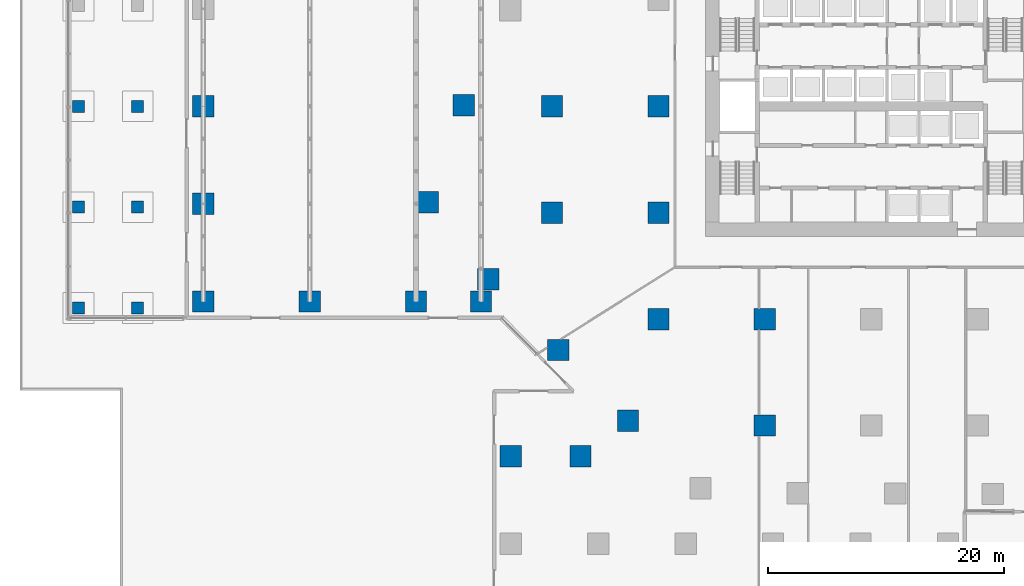
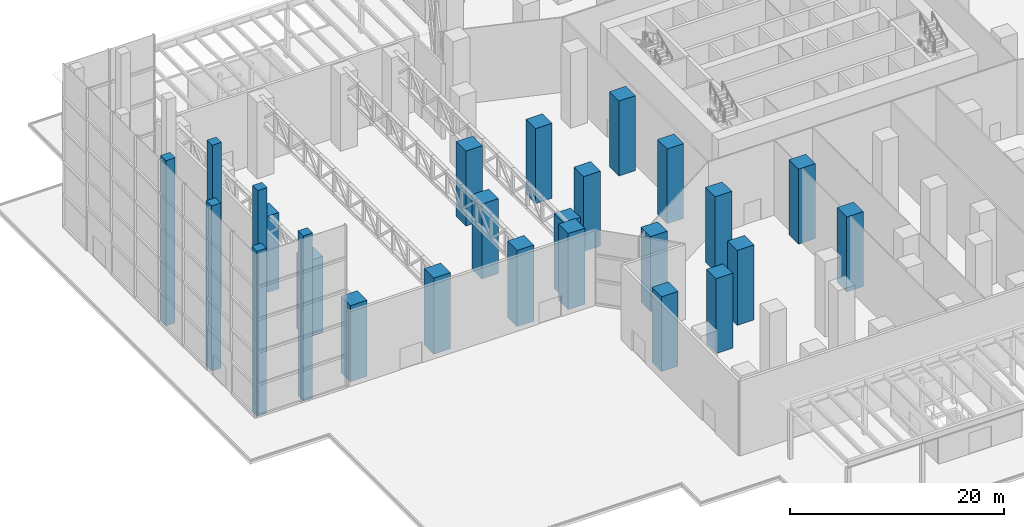
# One storey, part 3 of 40: 26 columns.
"""IFC4 building model written with IfcOpenShell, lengths in metres."""

from ifc_helpers import new_model, si_unit, direction, frame, origin, origin_2d, place, context, subcontext, project, spatial, rectangle, extrude, material, material_profile, profile_set, type_object, element, save


model = new_model("IFC4")

# Units and contexts
model_context = context("Model", 3, precision=1e-05, world=origin(), true_north=direction((0.0, 1.0)))
body_context = subcontext(model_context, "Body", "Model", "MODEL_VIEW")
ifc_project = project(units=[si_unit("LENGTHUNIT", "METRE"), si_unit("AREAUNIT", "SQUARE_METRE"), si_unit("VOLUMEUNIT", "CUBIC_METRE"), si_unit("PLANEANGLEUNIT", "RADIAN"), si_unit("MASSUNIT", "GRAM", prefix="KILO")], contexts=[model_context])

# Site, building, storey
site_placement = place(None, origin())
site = spatial("IfcSite", under=ifc_project, at=site_placement, CompositionType="ELEMENT")
building_placement = place(site_placement, origin())
building = spatial("IfcBuilding", under=site, at=building_placement, Name="Dongbaek Canopy Tower", CompositionType="ELEMENT")
storey_placement = place(building_placement, origin())
storey = spatial("IfcBuildingStorey", under=building, at=storey_placement, Name="L00", CompositionType="ELEMENT", Elevation=0.0)

# Columns
ifc_material_1 = material(Name="Concrete C80", Category="concrete")
ifc_material_profile_1 = material_profile(ifc_material_1, rectangle(XDim=1.800048828125, YDim=1.800048828125, at=origin_2d()), Name="RC COLUMN 1800x1800 C80")
ifc_profile_set_1 = profile_set([ifc_material_profile_1], Name="Concrete C80")
column_type_1 = type_object("IfcColumnType", Name="RC COLUMN 1800x1800 C80", PredefinedType="COLUMN", material=ifc_profile_set_1)
for number, where, z_axis, x_axis, name in (
    (1, (-20.573974609375, -26.60205078125, 0.0), (0.0, 0.0, 1.0), (1.0, 0.0, 0.0), "COL:CP-06:L00"),
    (2, (-26.47802734375, -20.60791015625, 0.0), (0.0, 0.0, 1.0), (1.0, 0.0, 0.0), "COL:CP-07:L00"),
    (3, (-32.382080078125, -14.613037109375, 0.0), (0.0, 0.0, 1.0), (1.0, 0.0, 0.0), "COL:CP-08:L00"),
    (4, (-37.489013671875, -8.123046875, 0.0), (0.0, 0.0, 1.0), (1.0, 0.0, 0.0), "COL:CP-09:L00"),
    (5, (-34.462890625, 0.10302734375, 0.0), (0.0, 0.0, 1.0), (1.0, 0.0, 0.0), "COL:CP-10:L00"),
    (6, (-27.0, -9.0, 0.0), (0.0, 0.0, 1.0), (1.0, 0.0, 0.0), "COL:CIP-01:L00"),
    (7, (-27.0, 0.0, 0.0), (0.0, 0.0, 1.0), (1.0, 0.0, 0.0), "COL:CIP-02:L00"),
    (8, (-18.0, -18.0, 0.0), (0.0, 0.0, 1.0), (1.0, 0.0, 0.0), "COL:CIP-03:L00"),
    (9, (-18.0, -9.0, 0.0), (0.0, 0.0, 1.0), (1.0, 0.0, 0.0), "COL:CIP-04:L00"),
    (10, (-18.0, 0.0, 0.0), (0.0, 0.0, 1.0), (1.0, 0.0, 0.0), "COL:CIP-05:L00"),
    (11, (-9.0, -27.0, 0.0), (0.0, 0.0, 1.0), (1.0, 0.0, 0.0), "COL:CIP-08:L00"),
    (12, (-9.0, -18.0, 0.0), (0.0, 0.0, 1.0), (1.0, 0.0, 0.0), "COL:CIP-09:L00"),
):
    element("IfcColumn", number, at=place(storey_placement, frame(where, z_axis=z_axis, x_axis=x_axis)), inside=storey, type_object=column_type_1, Name=name, PredefinedType="COLUMN", context=body_context, shape_type="SweptSolid", body=[
        extrude(rectangle(XDim=1.800048828125, YDim=1.800048828125, at=origin_2d()), origin(), (0.0, 0.0, 1.0), 8.550048828125),
    ])
for number, where, z_axis, x_axis, name in (
    (13, (-56.5, -16.5, 0.0), (0.0, 0.0, 1.0), (1.0, 0.0, 0.0), "COL:CWWW-01:L00"),
    (14, (-47.5, -16.5, 0.0), (0.0, 0.0, 1.0), (1.0, 0.0, 0.0), "COL:CWWW-03:L00"),
    (15, (-38.5, -16.5, 0.0), (0.0, 0.0, 1.0), (1.0, 0.0, 0.0), "COL:CWWW-05:L00"),
    (16, (-33.0, -16.5, 0.0), (0.0, 0.0, 1.0), (1.0, 0.0, 0.0), "COL:CWWW-07:L00"),
    (17, (-56.5, -8.25, 0.0), (0.0, 0.0, 1.0), (1.0, 0.0, 0.0), "COL:CWWW-09:L00"),
    (18, (-56.5, 0.0, 0.0), (0.0, 0.0, 1.0), (1.0, 0.0, 0.0), "COL:CWWW-10:L00"),
):
    element("IfcColumn", number, at=place(storey_placement, frame(where, z_axis=z_axis, x_axis=x_axis)), inside=storey, type_object=column_type_1, Name=name, PredefinedType="COLUMN", context=body_context, shape_type="SweptSolid", body=[
        extrude(rectangle(XDim=1.800048828125, YDim=1.800048828125, at=origin_2d()), origin(), (0.0, 0.0, 1.0), 8.699951171875),
    ])
for number, where, z_axis, x_axis, name in (
    (19, (-30.5, -29.60009765625, 0.0), (0.0, 0.0, 1.0), (1.0, 0.0, 0.0), "COL:CWSA-03:L00"),
    (20, (-24.60009765625, -29.60009765625, 0.0), (0.0, 0.0, 1.0), (1.0, 0.0, 0.0), "COL:CWSA-06:L00"),
):
    element("IfcColumn", number, at=place(storey_placement, frame(where, z_axis=z_axis, x_axis=x_axis)), inside=storey, type_object=column_type_1, Name=name, PredefinedType="COLUMN", context=body_context, shape_type="SweptSolid", body=[
        extrude(rectangle(XDim=1.800048828125, YDim=1.800048828125, at=origin_2d()), origin(), (0.0, 0.0, 1.0), 8.550048828125),
    ])
ifc_material_2 = material(Name="Concrete C60", Category="concrete")
ifc_material_profile_2 = material_profile(ifc_material_2, rectangle(XDim=1.0, YDim=1.0, at=origin_2d()), Name="RC HALL COLUMN 1000x1000 C60")
ifc_profile_set_2 = profile_set([ifc_material_profile_2], Name="Concrete C60")
column_type_2 = type_object("IfcColumnType", Name="RC HALL COLUMN 1000x1000 C60", PredefinedType="COLUMN", material=ifc_profile_set_2)
for number, where, z_axis, x_axis, name in (
    (21, (-67.050048828125, -17.050048828125, -0.300048828125), (0.0, 0.0, 1.0), (1.0, 0.0, 0.0), "Hall column 36"),
    (22, (-67.050048828125, -8.52490234375, -0.300048828125), (0.0, 0.0, 1.0), (1.0, 0.0, 0.0), "Hall column 37"),
    (23, (-67.050048828125, 0.0, -0.300048828125), (0.0, 0.0, 1.0), (1.0, 0.0, 0.0), "Hall column 38"),
    (24, (-62.050048828125, -17.050048828125, -0.300048828125), (0.0, 0.0, 1.0), (1.0, 0.0, 0.0), "Hall column 41"),
    (25, (-62.050048828125, -8.52490234375, -0.300048828125), (0.0, 0.0, 1.0), (1.0, 0.0, 0.0), "Hall column 42"),
    (26, (-62.050048828125, 0.0, -0.300048828125), (0.0, 0.0, 1.0), (1.0, 0.0, 0.0), "Hall column 43"),
):
    element("IfcColumn", number, at=place(storey_placement, frame(where, z_axis=z_axis, x_axis=x_axis)), inside=storey, type_object=column_type_2, Name=name, PredefinedType="COLUMN", context=body_context, shape_type="SweptSolid", body=[
        extrude(rectangle(XDim=1.0, YDim=1.0, at=origin_2d()), origin(), (0.0, 0.0, 1.0), 18.85009765625),
    ])

save(model, "model.ifc")
